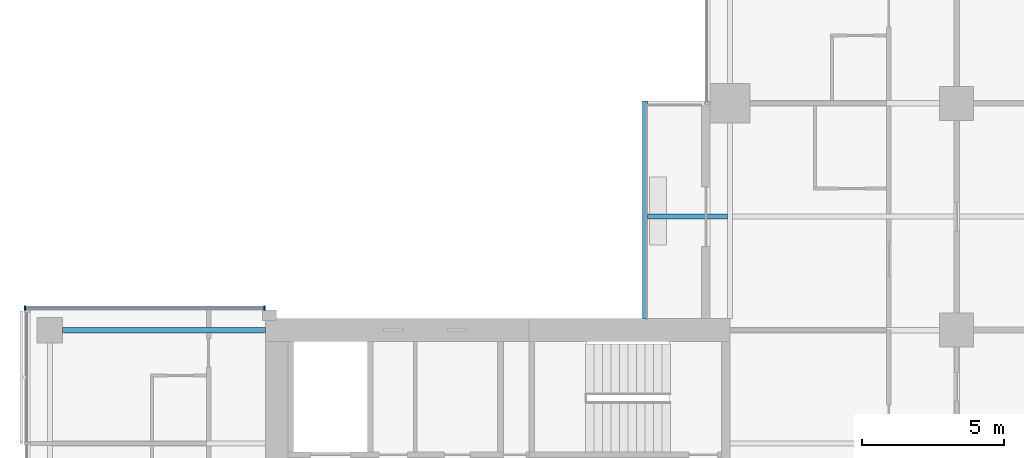
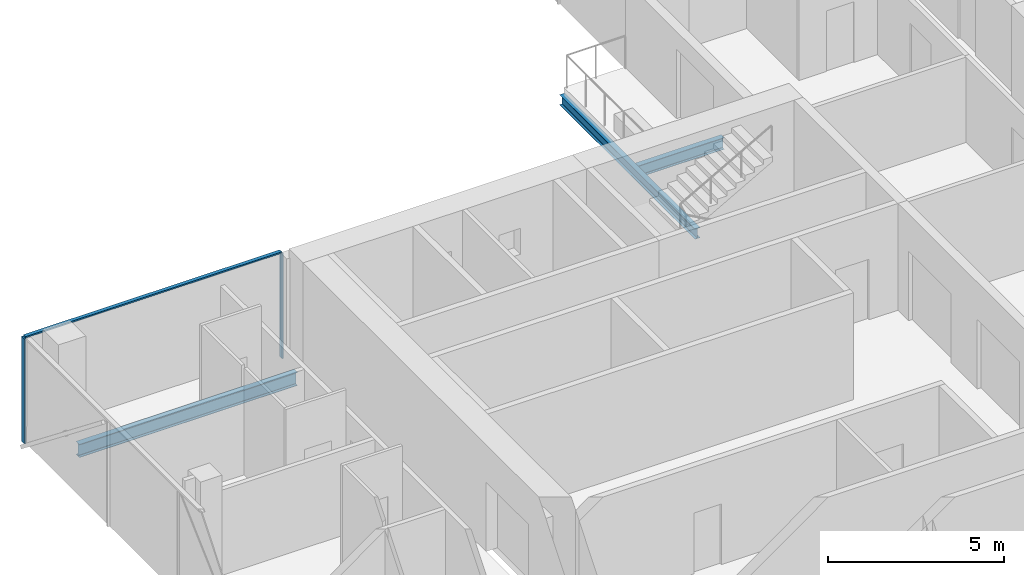
# One storey, part 8 of 29: 3 beams, 3 members, 1 element without a shape of its own.
"""IFC4 building model written with IfcOpenShell, lengths in metres."""

from ifc_helpers import new_model, si_unit, direction, frame, origin, origin_2d, place, context, subcontext, project, spatial, rectangle, i_section, extrude, material, material_profile, profile_set, type_object, element, aggregate, save


model = new_model("IFC4")

# Units and contexts
model_context = context("Model", 3, precision=1e-05, world=origin(), true_north=direction((0.0, 1.0)))
body_context = subcontext(model_context, "Body", "Model", "MODEL_VIEW")
ifc_project = project(units=[si_unit("LENGTHUNIT", "METRE"), si_unit("AREAUNIT", "SQUARE_METRE"), si_unit("VOLUMEUNIT", "CUBIC_METRE"), si_unit("PLANEANGLEUNIT", "RADIAN"), si_unit("MASSUNIT", "GRAM", prefix="KILO")], contexts=[model_context])

# Site, building, storey
site_placement = place(None, origin())
site = spatial("IfcSite", under=ifc_project, at=site_placement, CompositionType="ELEMENT")
building_placement = place(site_placement, origin())
building = spatial("IfcBuilding", under=site, at=building_placement, Name="Crosswind Convention Tower", CompositionType="ELEMENT")
storey_placement = place(building_placement, frame((0.0, 0.0, 53.5)))
storey = spatial("IfcBuildingStorey", under=building, at=storey_placement, Name="L07", CompositionType="ELEMENT", Elevation=53.5)

# Beams
ifc_material_1 = material(Name="Steel S355", Category="steel")
ifc_material_profile_1 = material_profile(ifc_material_1, i_section(OverallWidth=0.177734375, OverallDepth=0.406494140625, WebThickness=0.0078125, FlangeThickness=0.0126953125, FilletRadius=0.01025390625, at=origin_2d()), Name="UB 406x178x60")
ifc_profile_set_1 = profile_set([ifc_material_profile_1], Name="Steel S355")
beam_type_1 = type_object("IfcBeamType", Name="Balcony cantilever UB 406x178x60", PredefinedType="BEAM", material=ifc_profile_set_1)
beam_1_placement = place(storey_placement, frame((112.90478515625, 116.0, -0.483154296875), z_axis=(-1.0, 0.0, 0.0), x_axis=(0.0, -1.0, 0.0)))
element("IfcBeam", 1, at=beam_1_placement, inside=storey, type_object=beam_type_1, Name="B35 L07 balcony cantilever NW 4", PredefinedType="BEAM", context=body_context, shape_type="SweptSolid", body=[
    extrude(i_section(OverallWidth=0.177734375, OverallDepth=0.406494140625, WebThickness=0.0078125, FlangeThickness=0.0126953125, FilletRadius=0.01025390625, at=origin_2d()), origin(), (0.0, 0.0, 1.0), 2.8193359375),
])
ifc_material_profile_2 = material_profile(ifc_material_1, i_section(OverallWidth=0.1708984375, OverallDepth=0.35205078125, WebThickness=0.0068359375, FlangeThickness=0.009765625, FilletRadius=0.01025390625, at=origin_2d()), Name="UB 356x171x45")
ifc_profile_set_2 = profile_set([ifc_material_profile_2], Name="Steel S355")
beam_type_2 = type_object("IfcBeamType", Name="Balcony edge beam UB 356x171x45", PredefinedType="BEAM", material=ifc_profile_set_2)
beam_2_placement = place(storey_placement, frame((110.0, 112.39990234375, -0.4560546875), z_axis=(0.0, 1.0, 0.0), x_axis=(-1.0, 0.0, 0.0)))
element("IfcBeam", 2, at=beam_2_placement, inside=storey, type_object=beam_type_2, Name="B37 L07 balcony edge beam NW 6", PredefinedType="BEAM", context=body_context, shape_type="SweptSolid", body=[
    extrude(i_section(OverallWidth=0.1708984375, OverallDepth=0.35205078125, WebThickness=0.0068359375, FlangeThickness=0.009765625, FilletRadius=0.01025390625, at=origin_2d()), origin(), (0.0, 0.0, 1.0), 7.68896484375),
])
ifc_material_profile_3 = material_profile(ifc_material_1, i_section(OverallWidth=0.1904296875, OverallDepth=0.457275390625, WebThickness=0.009033203125, FlangeThickness=0.014404296875, FilletRadius=0.01025390625, at=origin_2d()), Name="UB 457x191x75")
ifc_profile_set_3 = profile_set([ifc_material_profile_3], Name="Steel S355")
beam_type_3 = type_object("IfcBeamType", Name="Edge beam UB 457x191x75", PredefinedType="SPANDREL", material=ifc_profile_set_3)
beam_3_placement = place(storey_placement, frame((89.449951171875, 112.0, -0.508544921875), z_axis=(1.0, 0.0, 0.0), x_axis=(0.0, 1.0, 0.0)))
element("IfcBeam", 3, at=beam_3_placement, inside=storey, type_object=beam_type_3, Name="B17 L07 edge beam 5", PredefinedType="SPANDREL", context=body_context, shape_type="SweptSolid", body=[
    extrude(i_section(OverallWidth=0.1904296875, OverallDepth=0.457275390625, WebThickness=0.009033203125, FlangeThickness=0.014404296875, FilletRadius=0.01025390625, at=origin_2d()), origin(), (0.0, 0.0, 1.0), 7.150146484375),
])

# Curtain wall, members
ifc_material_2 = material(Name="Aluminium unitised curtain wall", Category="aluminium")
curtain_wall_type = type_object("IfcCurtainWallType", Name="CORE END SLOT WALL 160", PredefinedType="USERDEFINED", material=ifc_material_2)
curtain_wall_placement = place(storey_placement, origin())
curtain_wall = element("IfcCurtainWall", 4, at=curtain_wall_placement, inside=storey, type_object=curtain_wall_type, Name="CW6 L07 W-N.2-1 slot", ObjectType="UNITISED", PredefinedType="USERDEFINED")
ifc_material_3 = material(Name="Aluminium mullion", Category="aluminium")
ifc_material_profile_4 = material_profile(ifc_material_3, rectangle(XDim=0.159912109375, YDim=0.050048828125, at=origin_2d()), Name="AL 160X50")
ifc_profile_set_4 = profile_set([ifc_material_profile_4], Name="Aluminium mullion")
member_type_1 = type_object("IfcMemberType", Name="MULLION 50X160", PredefinedType="MULLION", material=ifc_profile_set_4)
member_1_placement = place(storey_placement, frame((96.574951171875, 112.780029296875, -0.280029296875), z_axis=(0.0, 0.0, 1.0), x_axis=(0.0, 1.0, 0.0)))
member_1 = element("IfcMember", 5, at=member_1_placement, type_object=member_type_1, Name="CW6 mullion 1", PredefinedType="MULLION", context=body_context, shape_type="SweptSolid", body=[
    extrude(rectangle(XDim=0.159912109375, YDim=0.050048828125, at=origin_2d()), origin(), (0.0, 0.0, 1.0), 3.650146484375),
])
member_2_placement = place(storey_placement, frame((88.125, 112.780029296875, -0.280029296875), z_axis=(0.0, 0.0, 1.0), x_axis=(0.0, 1.0, 0.0)))
member_2 = element("IfcMember", 6, at=member_2_placement, type_object=member_type_1, Name="CW6 mullion 2", PredefinedType="MULLION", context=body_context, shape_type="SweptSolid", body=[
    extrude(rectangle(XDim=0.159912109375, YDim=0.050048828125, at=origin_2d()), origin(), (0.0, 0.0, 1.0), 3.650146484375),
])
ifc_material_4 = material(Name="Aluminium transom", Category="aluminium")
ifc_material_profile_5 = material_profile(ifc_material_4, rectangle(XDim=0.1201171875, YDim=0.050048828125, at=origin_2d()), Name="AL 120X50")
ifc_profile_set_5 = profile_set([ifc_material_profile_5], Name="Aluminium transom")
member_type_2 = type_object("IfcMemberType", Name="TRANSOM 50X120", PredefinedType="USERDEFINED", material=ifc_profile_set_5)
member_3_placement = place(storey_placement, frame((96.550048828125, 112.780029296875, 3.39501953125), z_axis=(-1.0, 0.0, 0.0), x_axis=(0.0, -1.0, 0.0)))
member_3 = element("IfcMember", 7, at=member_3_placement, type_object=member_type_2, Name="CW6 transom", ObjectType="TRANSOM", PredefinedType="USERDEFINED", context=body_context, shape_type="SweptSolid", body=[
    extrude(rectangle(XDim=0.1201171875, YDim=0.050048828125, at=origin_2d()), origin(), (0.0, 0.0, 1.0), 8.400146484375),
])
aggregate(curtain_wall, [member_1, member_2, member_3])

save(model, "model.ifc")
